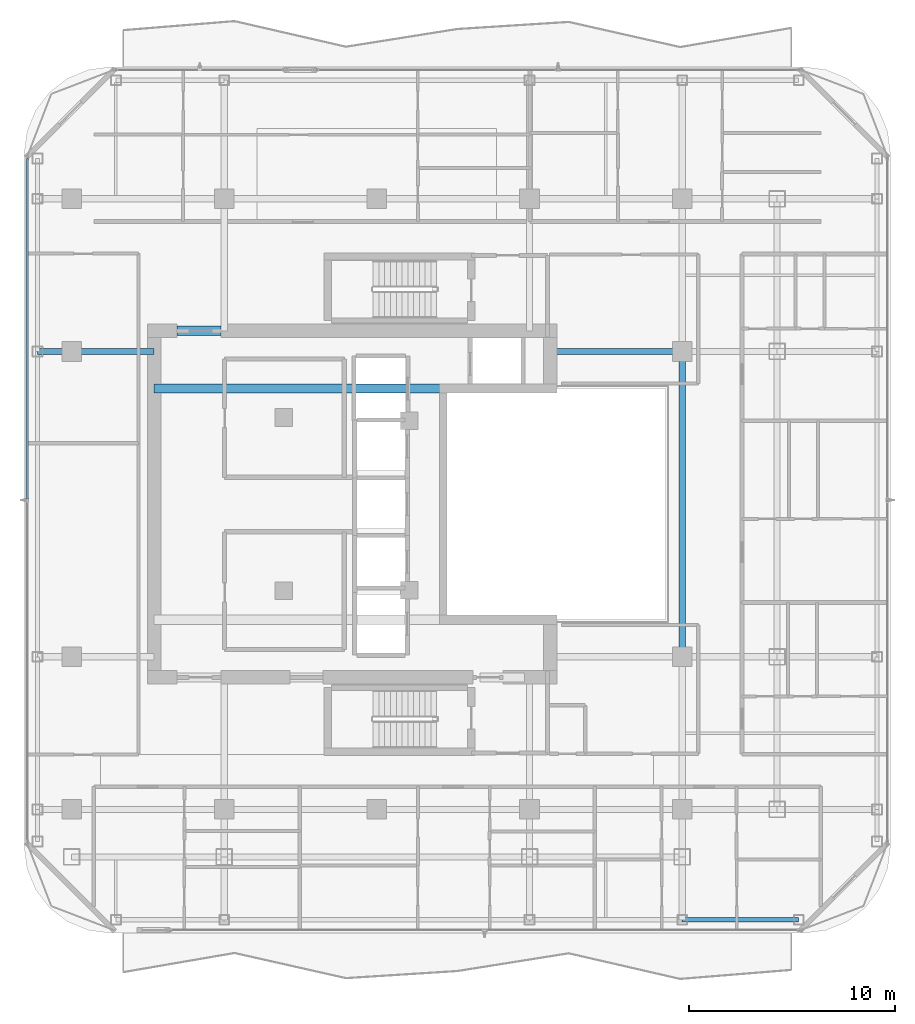
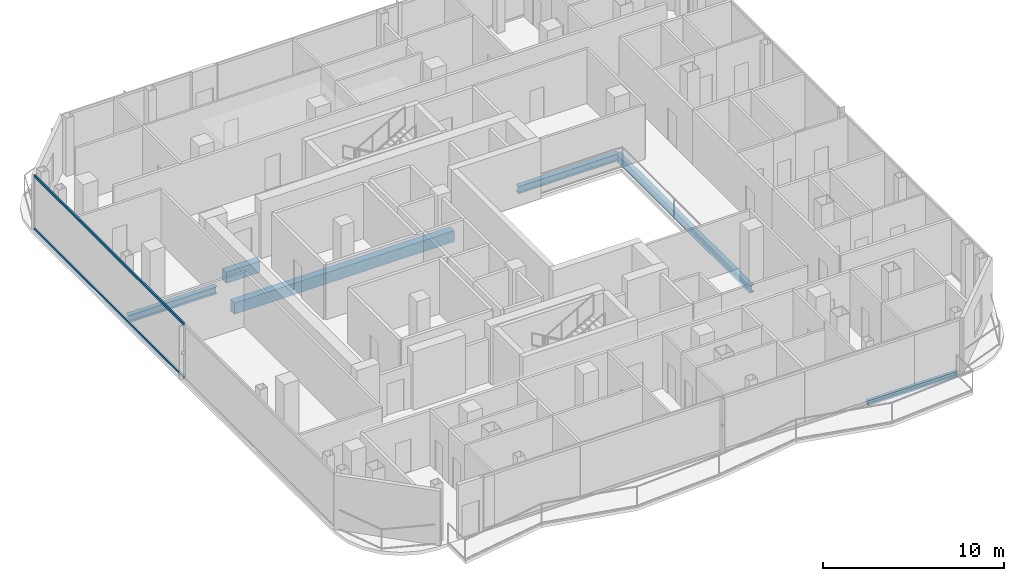
# One storey, part 7 of 26: 6 beams, 2 members, 1 element without a shape of its own.
"""IFC4 building model written with IfcOpenShell, lengths in metres."""

from ifc_helpers import new_model, si_unit, direction, frame, origin, origin_2d, place, context, subcontext, project, spatial, rectangle, hollow_rectangle, i_section, extrude, material, layer, layer_set, material_profile, profile_set, type_object, element, aggregate, save


model = new_model("IFC4")

# Units and contexts
model_context = context("Model", 3, precision=1e-05, world=origin(), true_north=direction((0.0, 1.0)))
body_context = subcontext(model_context, "Body", "Model", "MODEL_VIEW")
ifc_project = project(units=[si_unit("LENGTHUNIT", "METRE"), si_unit("AREAUNIT", "SQUARE_METRE"), si_unit("VOLUMEUNIT", "CUBIC_METRE"), si_unit("PLANEANGLEUNIT", "RADIAN"), si_unit("MASSUNIT", "GRAM", prefix="KILO")], contexts=[model_context])

# Site, building, storey
site_placement = place(None, origin())
site = spatial("IfcSite", under=ifc_project, at=site_placement, CompositionType="ELEMENT")
building_placement = place(site_placement, origin())
building = spatial("IfcBuilding", under=site, at=building_placement, Name="Khorvyn Point Tower", CompositionType="ELEMENT")
storey_placement = place(building_placement, frame((0.0, 0.0, 262.5)))
storey = spatial("IfcBuildingStorey", under=building, at=storey_placement, Name="L64", CompositionType="ELEMENT", Elevation=262.5)

# Curtain wall, members
ifc_material_1 = material(Name="Anodised aluminium 6063-T6 and laminated Low-E glass", Category="aluminium")
ifc_layer = layer(ifc_material_1, 0.18994140625)
ifc_layer_set = layer_set([ifc_layer], Name="Stick-Built High-Wind Curtain Wall CW-SYS-04")
curtain_wall_type = type_object("IfcCurtainWallType", Name="Stick-Built High-Wind Curtain Wall CW-SYS-04", PredefinedType="NOTDEFINED", material=ifc_layer_set)
curtain_wall_placement = place(storey_placement, origin())
curtain_wall = element("IfcCurtainWall", 1, at=curtain_wall_placement, inside=storey, type_object=curtain_wall_type, Name="Curtain Wall", PredefinedType="NOTDEFINED")
ifc_material_2 = material(Name="Anodised aluminium 6063-T6", Category="aluminium")
ifc_material_profile_1 = material_profile(ifc_material_2, hollow_rectangle(XDim=0.10009765625, YDim=0.159912109375, WallThickness=0.00439453125, at=origin_2d()))
ifc_profile_set_1 = profile_set([ifc_material_profile_1], Name="Anodised aluminium 6063-T6 ALU-TRN-100x160")
member_type = type_object("IfcMemberType", Name="Anodised Aluminium 6063-T6 Transom ALU-TRN-100x160", PredefinedType="USERDEFINED", material=ifc_profile_set_1)
member_1_placement = place(storey_placement, frame((-16.949951171875, 0.25, 0.050048828125), z_axis=(0.0, 1.0, 0.0), x_axis=(-1.0, 0.0, 0.0)))
member_1 = element("IfcMember", 2, at=member_1_placement, type_object=member_type, Name="Transom", ObjectType="TRANSOM", PredefinedType="USERDEFINED", context=body_context, shape_type="SweptSolid", body=[
    extrude(hollow_rectangle(XDim=0.10009765625, YDim=0.159912109375, WallThickness=0.00439453125, at=origin_2d()), origin(), (0.0, 0.0, 1.0), 16.5),
])
member_2_placement = place(storey_placement, frame((-16.949951171875, 0.25, 3.6298828125), z_axis=(0.0, 1.0, 0.0), x_axis=(-1.0, 0.0, 0.0)))
member_2 = element("IfcMember", 3, at=member_2_placement, type_object=member_type, Name="Transom", ObjectType="TRANSOM", PredefinedType="USERDEFINED", context=body_context, shape_type="SweptSolid", body=[
    extrude(hollow_rectangle(XDim=0.10009765625, YDim=0.159912109375, WallThickness=0.00439453125, at=origin_2d()), origin(), (0.0, 0.0, 1.0), 16.5),
])
aggregate(curtain_wall, [member_1, member_2])

# Beams
ifc_material_3 = material(Name="Concrete C40/50", Category="concrete")
ifc_material_profile_2 = material_profile(ifc_material_3, rectangle(XDim=0.449951171875, YDim=0.75, at=origin_2d()))
ifc_profile_set_2 = profile_set([ifc_material_profile_2], Name="Concrete C40/50 RC450x750")
beam_type_1 = type_object("IfcBeamType", Name="Concrete C40/50 Beam RC450x750", PredefinedType="BEAM", material=ifc_profile_set_2)
beam_1_placement = place(storey_placement, frame((-10.800048828125, 5.60009765625, -0.594970703125), z_axis=(1.0, 0.0, 0.0), x_axis=(0.0, 1.0, 0.0)))
element("IfcBeam", 4, at=beam_1_placement, inside=storey, type_object=beam_type_1, Name="L64 Core Internal Tie Girder N", PredefinedType="BEAM", context=body_context, shape_type="SweptSolid", body=[
    extrude(rectangle(XDim=0.449951171875, YDim=0.75, at=origin_2d()), origin(), (0.0, 0.0, 1.0), 14.02001953125),
])
beam_2_placement = place(storey_placement, frame((-9.699951171875, 8.39990234375, -0.594970703125), z_axis=(1.0, 0.0, 0.0), x_axis=(0.0, 1.0, 0.0)))
element("IfcBeam", 5, at=beam_2_placement, inside=storey, type_object=beam_type_1, Name="L64 Core Northwest Portal Coupling Beam", PredefinedType="BEAM", context=body_context, shape_type="SweptSolid", body=[
    extrude(rectangle(XDim=0.449951171875, YDim=0.75, at=origin_2d()), origin(), (0.0, 0.0, 1.0), 2.14990234375),
])
ifc_material_4 = material(Name="Steel S355", Category="steel")
ifc_material_profile_3 = material_profile(ifc_material_4, i_section(OverallWidth=0.300048828125, OverallDepth=0.488037109375, WebThickness=0.010986328125, FlangeThickness=0.01806640625, at=origin_2d()))
ifc_profile_set_3 = profile_set([ifc_material_profile_3], Name="Steel S355 H488x300x11x18")
beam_type_2 = type_object("IfcBeamType", Name="Steel S355 Spandrel H488x300x11x18", PredefinedType="SPANDREL", material=ifc_profile_set_3)
beam_3_placement = place(storey_placement, frame((-16.449951171875, 7.39990234375, -0.464111328125), z_axis=(1.0, 0.0, 0.0), x_axis=(0.0, 1.0, 0.0)))
element("IfcBeam", 6, at=beam_3_placement, inside=storey, type_object=beam_type_2, Name="Beam", PredefinedType="SPANDREL", context=body_context, shape_type="SweptSolid", body=[
    extrude(i_section(OverallWidth=0.300048828125, OverallDepth=0.488037109375, WebThickness=0.010986328125, FlangeThickness=0.01806640625, at=origin_2d()), origin(), (0.0, 0.0, 1.0), 5.64990234375),
])
beam_4_placement = place(storey_placement, frame((8.39990234375, 7.39990234375, -0.464111328125), z_axis=(1.0, 0.0, 0.0), x_axis=(0.0, 1.0, 0.0)))
element("IfcBeam", 7, at=beam_4_placement, inside=storey, type_object=beam_type_2, Name="Beam", PredefinedType="SPANDREL", context=body_context, shape_type="SweptSolid", body=[
    extrude(i_section(OverallWidth=0.300048828125, OverallDepth=0.488037109375, WebThickness=0.010986328125, FlangeThickness=0.01806640625, at=origin_2d()), origin(), (0.0, 0.0, 1.0), 6.400146484375),
])
beam_5_placement = place(storey_placement, frame((14.800048828125, -7.39990234375, -0.464111328125), z_axis=(0.0, 1.0, 0.0), x_axis=(-1.0, 0.0, 0.0)))
element("IfcBeam", 8, at=beam_5_placement, inside=storey, type_object=beam_type_2, Name="Beam", PredefinedType="SPANDREL", context=body_context, shape_type="SweptSolid", body=[
    extrude(i_section(OverallWidth=0.300048828125, OverallDepth=0.488037109375, WebThickness=0.010986328125, FlangeThickness=0.01806640625, at=origin_2d()), origin(), (0.0, 0.0, 1.0), 14.7998046875),
])
ifc_material_profile_4 = material_profile(ifc_material_4, hollow_rectangle(XDim=0.199951171875, YDim=0.35009765625, WallThickness=0.013916015625, at=origin_2d()))
ifc_profile_set_4 = profile_set([ifc_material_profile_4], Name="Steel S355 RHS350x200x14")
beam_type_3 = type_object("IfcBeamType", Name="Steel S355 Spandrel RHS350x200x14", PredefinedType="SPANDREL", material=ifc_profile_set_4)
beam_6_placement = place(storey_placement, frame((14.800048828125, -20.14990234375, -0.39501953125), z_axis=(1.0, 0.0, 0.0), x_axis=(0.0, 1.0, 0.0)))
element("IfcBeam", 9, at=beam_6_placement, inside=storey, type_object=beam_type_3, Name="Beam", PredefinedType="SPANDREL", context=body_context, shape_type="SweptSolid", body=[
    extrude(hollow_rectangle(XDim=0.199951171875, YDim=0.35009765625, WallThickness=0.013916015625, at=origin_2d()), origin(), (0.0, 0.0, 1.0), 5.64990234375),
])

save(model, "model.ifc")
